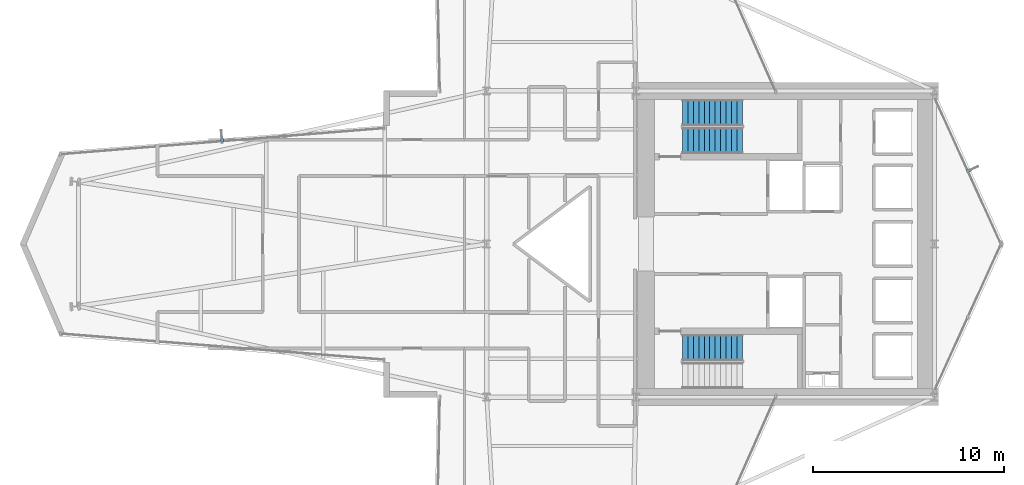
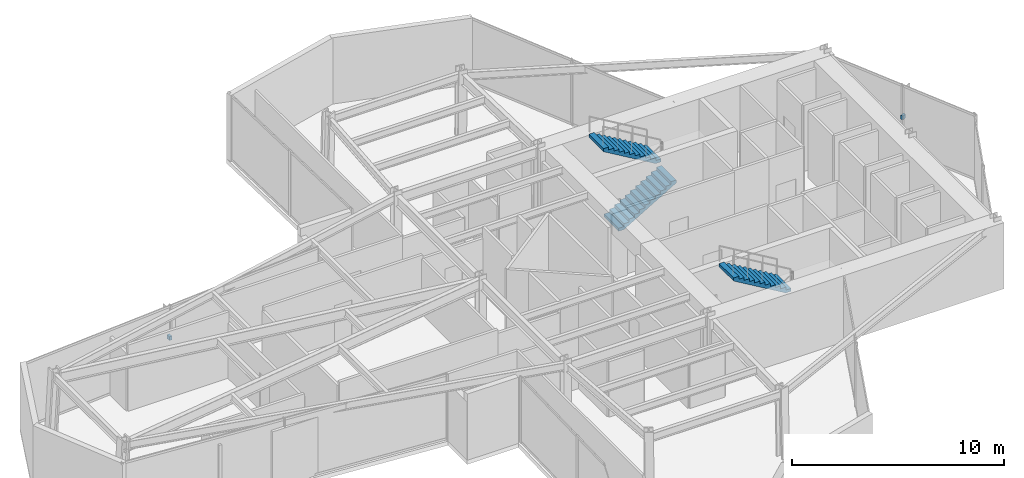
# One storey, part 23 of 24: 3 stair flights, 2 discrete accessories, 2 elements without a shape of their own.
"""IFC4 building model written with IfcOpenShell, lengths in metres."""

from ifc_helpers import new_model, si_unit, direction, frame, origin, origin_2d, place, context, subcontext, project, spatial, polyline, rectangle, outline, extrude, material, layer, layer_set, type_object, element, aggregate, save


model = new_model("IFC4")

# Units and contexts
model_context = context("Model", 3, precision=1e-05, world=origin(), true_north=direction((0.0, 1.0)))
body_context = subcontext(model_context, "Body", "Model", "MODEL_VIEW")
ifc_project = project(units=[si_unit("LENGTHUNIT", "METRE"), si_unit("AREAUNIT", "SQUARE_METRE"), si_unit("VOLUMEUNIT", "CUBIC_METRE"), si_unit("PLANEANGLEUNIT", "RADIAN"), si_unit("MASSUNIT", "GRAM", prefix="KILO")], contexts=[model_context])

# Site, building, storey
site_placement = place(None, origin())
site = spatial("IfcSite", under=ifc_project, at=site_placement, CompositionType="ELEMENT")
building_placement = place(site_placement, origin())
building = spatial("IfcBuilding", under=site, at=building_placement, Name="Veymaron Broadcast Tower", CompositionType="ELEMENT")
storey_placement = place(building_placement, frame((0.0, 0.0, 98.550048828125)))
storey = spatial("IfcBuildingStorey", under=building, at=storey_placement, Name="L22", CompositionType="ELEMENT", Elevation=98.550048828125)

# Stair, stair flights
ifc_material_1 = material(Name="Concrete C50/60", Category="concrete")
stair_type_1 = type_object("IfcStairType", Name="STAIR-CORE-1", PredefinedType="HALF_TURN_STAIR", material=ifc_material_1)
stair_1_placement = place(storey_placement, origin())
stair_1 = element("IfcStair", 1, at=stair_1_placement, inside=storey, type_object=stair_type_1, Name="L22 North protected dog-leg exit stair ST1", PredefinedType="HALF_TURN_STAIR")
ifc_material_2 = material(Name="Precast concrete C50/60", Category="concrete")
stair_flight_type = type_object("IfcStairFlightType", Name="FLT-CORE-RC", PredefinedType="STRAIGHT", material=ifc_material_2)
stair_flight_1_placement = place(storey_placement, frame((41.429931640625, 29.419921875, 0.0), z_axis=(0.0, 0.0, 1.0), x_axis=(1.0, 0.0, 0.0)))
stair_flight_1 = element("IfcStairFlight", 2, at=stair_flight_1_placement, type_object=stair_flight_type, Name="ST1 flight 1", NumberOfRisers=12, NumberOfTreads=11, PredefinedType="STRAIGHT", RiserHeight=0.16875, TreadLength=0.285, context=body_context, shape_type="SweptSolid", body=[
    extrude(outline(polyline([(0.0, 0.0), (0.0, 0.168701171875), (0.284912109375, 0.168701171875), (0.284912109375, 0.33740234375), (0.570068359375, 0.33740234375), (0.570068359375, 0.50634765625), (0.85498046875, 0.50634765625), (0.85498046875, 0.675048828125), (1.139892578125, 0.675048828125), (1.139892578125, 0.84375), (1.425048828125, 0.84375), (1.425048828125, 1.012451171875), (1.7099609375, 1.012451171875), (1.7099609375, 1.18115234375), (1.9951171875, 1.18115234375), (1.9951171875, 1.35009765625), (2.280029296875, 1.35009765625), (2.280029296875, 1.518798828125), (2.56494140625, 1.518798828125), (2.56494140625, 1.6875), (2.85009765625, 1.6875), (2.85009765625, 1.856201171875), (3.135009765625, 1.856201171875), (3.135009765625, 2.02490234375), (3.135009765625, 1.68212890625), (0.294189453125, 0.0), (0.0, 0.0)])), frame((0.0, 0.68994140625, 0.0), z_axis=(0.0, -1.0, 0.0), x_axis=(1.0, 0.0, 0.0)), (0.0, 0.0, 1.0), 1.3798828125),
])
stair_flight_2_placement = place(storey_placement, frame((44.56494140625, 30.860107421875, 2.02490234375), z_axis=(0.0, 0.0, 1.0), x_axis=(-1.0, 0.0, 0.0)))
stair_flight_2 = element("IfcStairFlight", 3, at=stair_flight_2_placement, type_object=stair_flight_type, Name="ST1 flight 2", NumberOfRisers=12, NumberOfTreads=11, PredefinedType="STRAIGHT", RiserHeight=0.16875, TreadLength=0.285, context=body_context, shape_type="SweptSolid", body=[
    extrude(outline(polyline([(0.0, 0.0), (0.0, 0.168701171875), (0.284912109375, 0.168701171875), (0.284912109375, 0.33740234375), (0.570068359375, 0.33740234375), (0.570068359375, 0.50634765625), (0.85498046875, 0.50634765625), (0.85498046875, 0.675048828125), (1.139892578125, 0.675048828125), (1.139892578125, 0.84375), (1.425048828125, 0.84375), (1.425048828125, 1.012451171875), (1.7099609375, 1.012451171875), (1.7099609375, 1.18115234375), (1.9951171875, 1.18115234375), (1.9951171875, 1.35009765625), (2.280029296875, 1.35009765625), (2.280029296875, 1.518798828125), (2.56494140625, 1.518798828125), (2.56494140625, 1.6875), (2.85009765625, 1.6875), (2.85009765625, 1.856201171875), (3.135009765625, 1.856201171875), (3.135009765625, 2.02490234375), (3.135009765625, 1.68212890625), (0.294189453125, 0.0), (0.0, 0.0)])), frame((0.0, 0.68994140625, 0.0), z_axis=(0.0, -1.0, 0.0), x_axis=(1.0, 0.0, 0.0)), (0.0, 0.0, 1.0), 1.3798828125),
])
aggregate(stair_1, [stair_flight_1, stair_flight_2])

# Stair, stair flight
stair_type_2 = type_object("IfcStairType", Name="STAIR-CORE-2", PredefinedType="HALF_TURN_STAIR", material=ifc_material_1)
stair_2_placement = place(storey_placement, origin())
stair_2 = element("IfcStair", 4, at=stair_2_placement, inside=storey, type_object=stair_type_2, Name="L22 South protected dog-leg exit stair ST2", PredefinedType="HALF_TURN_STAIR")
stair_flight_3_placement = place(storey_placement, frame((44.56494140625, 18.580078125, 2.02490234375), z_axis=(0.0, 0.0, 1.0), x_axis=(-1.0, 0.0, 0.0)))
stair_flight_3 = element("IfcStairFlight", 5, at=stair_flight_3_placement, type_object=stair_flight_type, Name="ST2 flight 2", NumberOfRisers=12, NumberOfTreads=11, PredefinedType="STRAIGHT", RiserHeight=0.16875, TreadLength=0.285, context=body_context, shape_type="SweptSolid", body=[
    extrude(outline(polyline([(0.0, 0.0), (0.0, 0.168701171875), (0.284912109375, 0.168701171875), (0.284912109375, 0.33740234375), (0.570068359375, 0.33740234375), (0.570068359375, 0.50634765625), (0.85498046875, 0.50634765625), (0.85498046875, 0.675048828125), (1.139892578125, 0.675048828125), (1.139892578125, 0.84375), (1.425048828125, 0.84375), (1.425048828125, 1.012451171875), (1.7099609375, 1.012451171875), (1.7099609375, 1.18115234375), (1.9951171875, 1.18115234375), (1.9951171875, 1.35009765625), (2.280029296875, 1.35009765625), (2.280029296875, 1.518798828125), (2.56494140625, 1.518798828125), (2.56494140625, 1.6875), (2.85009765625, 1.6875), (2.85009765625, 1.856201171875), (3.135009765625, 1.856201171875), (3.135009765625, 2.02490234375), (3.135009765625, 1.68212890625), (0.294189453125, 0.0), (0.0, 0.0)])), frame((0.0, 0.68994140625, 0.0), z_axis=(0.0, -1.0, 0.0), x_axis=(1.0, 0.0, 0.0)), (0.0, 0.0, 1.0), 1.3798828125),
])
aggregate(stair_2, [stair_flight_3])

# Discrete accessories
ifc_material_3 = material(Name="Austenitic stainless steel AISI 316L", Category="steel")
ifc_layer = layer(ifc_material_3, 0.1201171875)
ifc_layer_set = layer_set([ifc_layer], Name="Austenitic stainless steel AISI 316L")
discrete_accessory_type = type_object("IfcDiscreteAccessoryType", Name="ACC-BRKT-SS1", PredefinedType="BRACKET", material=ifc_layer_set)
for number, where, z_axis, x_axis, name in (
    (6, (56.402099609375, 27.838134765625, 1.794921875), (0.0, 0.0, 1.0), (0.910510540138, 0.413485859852, 0.0), "CW-L22-E3-1 fin bracket 1"),
    (7, (17.372314453125, 29.427001953125, 1.794921875), (0.0, 0.0, 1.0), (-0.080233718427, 0.996776078378, 0.0), "CW-L22-E11-1 fin bracket 1"),
):
    element("IfcDiscreteAccessory", number, at=place(storey_placement, frame(where, z_axis=z_axis, x_axis=x_axis)), inside=storey, type_object=discrete_accessory_type, Name=name, PredefinedType="BRACKET", context=body_context, shape_type="SweptSolid", body=[
        extrude(rectangle(XDim=0.219970703125, YDim=0.139892578125, at=origin_2d()), origin(), (0.0, 0.0, 1.0), 0.219970703125),
    ])

save(model, "model.ifc")
